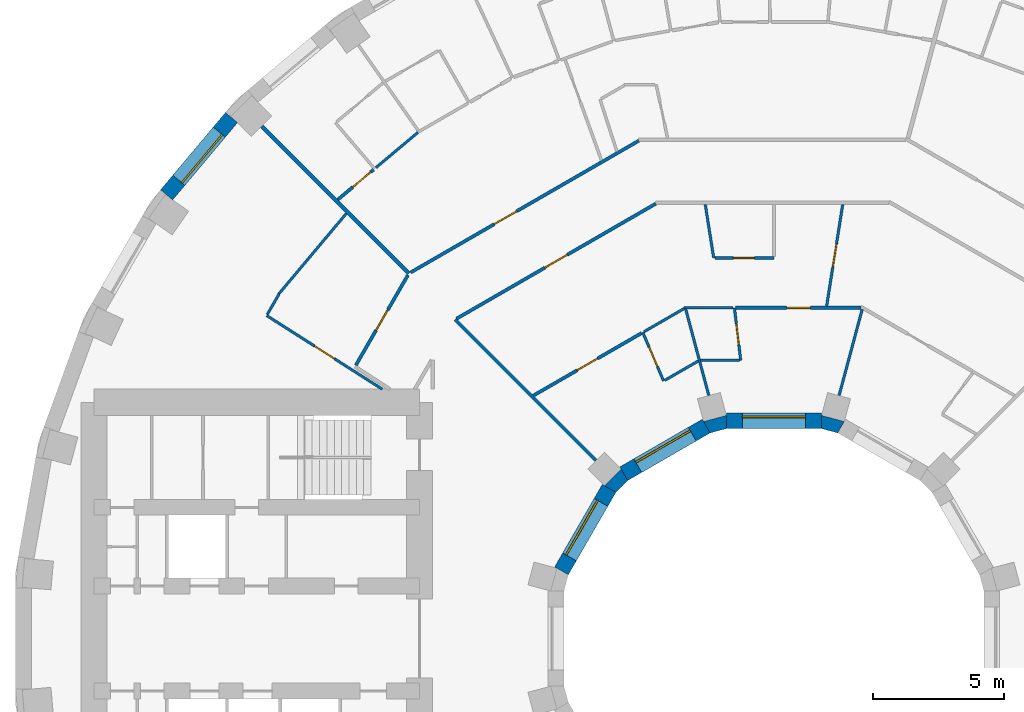
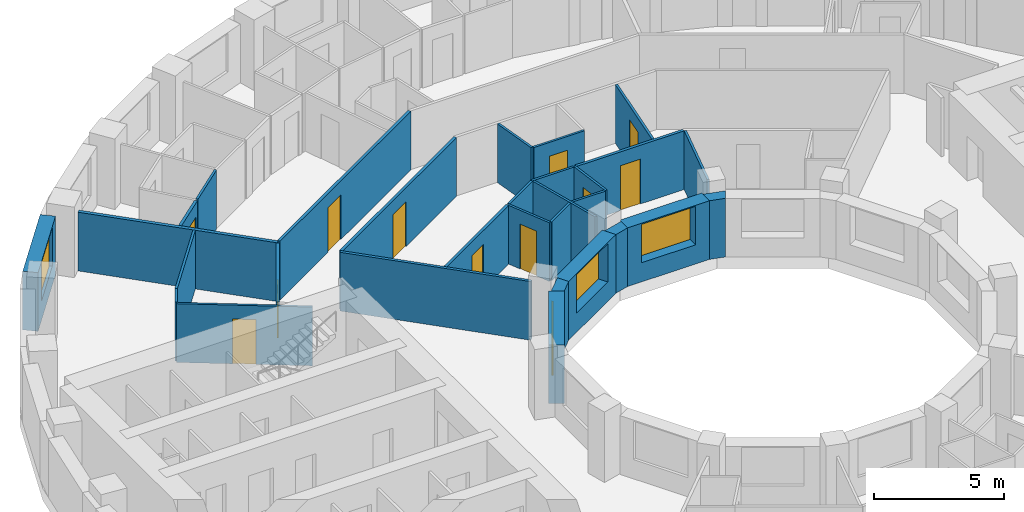
# One storey, part 11 of 17: 30 walls, 11 doors, 4 windows, 15 openings.
"""IFC4 building model written with IfcOpenShell, lengths in metres."""

from ifc_helpers import new_model, si_unit, direction, frame, frame_2d, origin, place, context, subcontext, project, spatial, polyline, rectangle, outline, extrude, material, layer, layer_set, type_object, element, fill, save


model = new_model("IFC4")

# Units and contexts
model_context = context("Model", 3, precision=1e-05, world=origin(), true_north=direction((0.0, 1.0)))
body_context = subcontext(model_context, "Body", "Model", "MODEL_VIEW")
ifc_project = project(units=[si_unit("LENGTHUNIT", "METRE"), si_unit("AREAUNIT", "SQUARE_METRE"), si_unit("VOLUMEUNIT", "CUBIC_METRE"), si_unit("PLANEANGLEUNIT", "RADIAN"), si_unit("MASSUNIT", "GRAM", prefix="KILO")], contexts=[model_context])

# Site, building, storey
site_placement = place(None, origin())
site = spatial("IfcSite", under=ifc_project, at=site_placement, CompositionType="ELEMENT")
building_placement = place(site_placement, origin())
building = spatial("IfcBuilding", under=site, at=building_placement, Name="Saqina Gate Tower", CompositionType="ELEMENT")
storey_placement = place(building_placement, frame((0.0, 0.0, 29.60009765625)))
storey = spatial("IfcBuildingStorey", under=building, at=storey_placement, Name="L07", CompositionType="ELEMENT", Elevation=29.60009765625)

# Wall, opening, window
ifc_material_1 = material(Name="Brick masonry (red)", Category="masonry")
ifc_layer_1 = layer(ifc_material_1, 0.60009765625)
ifc_layer_set_1 = layer_set([ifc_layer_1], Name="FW-BRICK-RED")
wall_type_1 = type_object("IfcWallType", Name="FW-BRICK-RED", PredefinedType="SOLIDWALL", material=ifc_layer_set_1)
wall_1_placement = place(storey_placement, frame((-20.664794921875, 19.85009765625, 0.0), z_axis=(0.0, 0.0, 1.0), x_axis=(-0.642809392687, -0.766026164483, 0.0)))
wall_1 = element("IfcWall", 1, at=wall_1_placement, inside=storey, type_object=wall_type_1, Name="Facade wall L07 facet 14", PredefinedType="SOLIDWALL", context=body_context, shape_type="SweptSolid", body=[
    extrude(rectangle(XDim=3.845947265625, YDim=0.60009765625, at=frame_2d((1.9228515625, 0.0))), origin(), (0.0, 0.0, 1.0), 2.75),
])
opening_1_placement = place(wall_1_placement, frame((0.722900390625, 0.0, 0.89990234375)))
opening_1 = element("IfcOpeningElement", 2, at=opening_1_placement, cuts=wall_1, Name="Opening G01-W12", PredefinedType="OPENING", context=body_context, shape_type="SweptSolid", body=[
    extrude(rectangle(XDim=2.39990234375, YDim=1.800048828125, at=frame_2d((1.199951171875, 0.89990234375))), frame((0.0, 0.31201171875, 0.0), z_axis=(0.0, -1.0, 0.0), x_axis=(1.0, 0.0, 0.0)), (0.0, 0.0, 1.0), 0.6240234375),
])
ifc_material_2 = material(Name="Aluminium glazing", Category="aluminium")
window_type_1 = type_object("IfcWindowType", Name="WN-A", PartitioningType="SINGLE_PANEL", PredefinedType="WINDOW", material=ifc_material_2)
window_1_placement = place(opening_1_placement, origin())
window_1 = element("IfcWindow", 3, at=window_1_placement, inside=storey, type_object=window_type_1, Name="Window L07 facet 14", OverallHeight=1.800048828125, OverallWidth=2.39990234375, PartitioningType="SINGLE_PANEL", PredefinedType="WINDOW", context=body_context, shape_type="SweptSolid", body=[
    extrude(rectangle(XDim=2.39990234375, YDim=1.800048828125, at=frame_2d((1.199951171875, 0.89990234375))), frame((0.0, 0.179931640625, 0.0), z_axis=(0.0, -1.0, 0.0), x_axis=(1.0, 0.0, 0.0)), (0.0, 0.0, 1.0), 0.06005859375),
])
fill(opening_1, window_1)

ifc_material_3 = material(Name="Glazed ceramic tile", Category="ceramic")
ifc_layer_2 = layer(ifc_material_3, 0.60009765625)
ifc_layer_set_2 = layer_set([ifc_layer_2], Name="IW-TILE")
wall_type_2 = type_object("IfcWallType", Name="IW-TILE", PredefinedType="SOLIDWALL", material=ifc_layer_set_2)
wall_2_placement = place(storey_placement, frame((1.8125, 8.300048828125, 0.0), z_axis=(0.0, 0.0, 1.0), x_axis=(-1.0, 0.0, 0.0)))
wall_2 = element("IfcWall", 4, at=wall_2_placement, inside=storey, type_object=wall_type_2, Name="Well wall L07 facet 3", PredefinedType="SOLIDWALL", context=body_context, shape_type="SweptSolid", body=[
    extrude(rectangle(XDim=3.625, YDim=0.60009765625, at=frame_2d((1.8125, 0.0))), origin(), (0.0, 0.0, 1.0), 2.75),
])
opening_2_placement = place(wall_2_placement, frame((0.612548828125, 0.0, 0.89990234375)))
opening_2 = element("IfcOpeningElement", 5, at=opening_2_placement, cuts=wall_2, Name="Opening G01-W25", PredefinedType="OPENING", context=body_context, shape_type="SweptSolid", body=[
    extrude(rectangle(XDim=2.39990234375, YDim=1.800048828125, at=frame_2d((1.199951171875, 0.89990234375))), frame((0.0, 0.31201171875, 0.0), z_axis=(0.0, -1.0, 0.0), x_axis=(1.0, 0.0, 0.0)), (0.0, 0.0, 1.0), 0.6240234375),
])
ifc_material_4 = material(Name="Aluminium glazing", Category="aluminium")
window_type_2 = type_object("IfcWindowType", Name="WN-W", PartitioningType="SINGLE_PANEL", PredefinedType="WINDOW", material=ifc_material_4)
window_2_placement = place(opening_2_placement, origin())
window_2 = element("IfcWindow", 6, at=window_2_placement, inside=storey, type_object=window_type_2, Name="Well window L07 facet 3", OverallHeight=1.800048828125, OverallWidth=2.39990234375, PartitioningType="SINGLE_PANEL", PredefinedType="WINDOW", context=body_context, shape_type="SweptSolid", body=[
    extrude(rectangle(XDim=2.39990234375, YDim=1.800048828125, at=frame_2d((1.199951171875, 0.89990234375))), frame((0.0, -0.119873046875, 0.0), z_axis=(0.0, -1.0, 0.0), x_axis=(1.0, 0.0, 0.0)), (0.0, 0.0, 1.0), 0.06005859375),
])
fill(opening_2, window_2)

wall_3_placement = place(storey_placement, frame((-2.580322265625, 8.09423828125, 0.0), z_axis=(0.0, 0.0, 1.0), x_axis=(-0.866029693906, -0.499992569217, 0.0)))
wall_3 = element("IfcWall", 7, at=wall_3_placement, inside=storey, type_object=wall_type_2, Name="Well wall L07 facet 4", PredefinedType="SOLIDWALL", context=body_context, shape_type="SweptSolid", body=[
    extrude(rectangle(XDim=3.625, YDim=0.60009765625, at=frame_2d((1.8125, 0.0))), origin(), (0.0, 0.0, 1.0), 2.75),
])
opening_3_placement = place(wall_3_placement, frame((0.612548828125, 0.0, 0.89990234375)))
opening_3 = element("IfcOpeningElement", 8, at=opening_3_placement, cuts=wall_3, Name="Opening G01-W26", PredefinedType="OPENING", context=body_context, shape_type="SweptSolid", body=[
    extrude(rectangle(XDim=2.39990234375, YDim=1.800048828125, at=frame_2d((1.199951171875, 0.89990234375))), frame((0.0, 0.31201171875, 0.0), z_axis=(0.0, -1.0, 0.0), x_axis=(1.0, 0.0, 0.0)), (0.0, 0.0, 1.0), 0.6240234375),
])
window_3_placement = place(opening_3_placement, origin())
window_3 = element("IfcWindow", 9, at=window_3_placement, inside=storey, type_object=window_type_2, Name="Well window L07 facet 4", OverallHeight=1.800048828125, OverallWidth=2.39990234375, PartitioningType="SINGLE_PANEL", PredefinedType="WINDOW", context=body_context, shape_type="SweptSolid", body=[
    extrude(rectangle(XDim=2.39990234375, YDim=1.800048828125, at=frame_2d((1.199951171875, 0.89990234375))), frame((0.0, -0.119873046875, 0.0), z_axis=(0.0, -1.0, 0.0), x_axis=(1.0, 0.0, 0.0)), (0.0, 0.0, 1.0), 0.06005859375),
])
fill(opening_3, window_3)

wall_4_placement = place(storey_placement, frame((-6.28173828125, 5.7197265625, 0.0), z_axis=(0.0, 0.0, 1.0), x_axis=(-0.499992569217, -0.866029693906, 0.0)))
wall_4 = element("IfcWall", 10, at=wall_4_placement, inside=storey, type_object=wall_type_2, Name="Well wall L07 facet 5", PredefinedType="SOLIDWALL", context=body_context, shape_type="SweptSolid", body=[
    extrude(rectangle(XDim=3.625, YDim=0.60009765625, at=frame_2d((1.8125, 0.0))), origin(), (0.0, 0.0, 1.0), 2.75),
])
opening_4_placement = place(wall_4_placement, frame((0.612548828125, 0.0, 0.89990234375)))
opening_4 = element("IfcOpeningElement", 11, at=opening_4_placement, cuts=wall_4, Name="Opening G01-W27", PredefinedType="OPENING", context=body_context, shape_type="SweptSolid", body=[
    extrude(rectangle(XDim=2.39990234375, YDim=1.800048828125, at=frame_2d((1.199951171875, 0.89990234375))), frame((0.0, 0.31201171875, 0.0), z_axis=(0.0, -1.0, 0.0), x_axis=(1.0, 0.0, 0.0)), (0.0, 0.0, 1.0), 0.6240234375),
])
window_4_placement = place(opening_4_placement, origin())
window_4 = element("IfcWindow", 12, at=window_4_placement, inside=storey, type_object=window_type_2, Name="Well window L07 facet 5", OverallHeight=1.800048828125, OverallWidth=2.39990234375, PartitioningType="SINGLE_PANEL", PredefinedType="WINDOW", context=body_context, shape_type="SweptSolid", body=[
    extrude(rectangle(XDim=2.39990234375, YDim=1.800048828125, at=frame_2d((1.199951171875, 0.89990234375))), frame((0.0, -0.119873046875, 0.0), z_axis=(0.0, -1.0, 0.0), x_axis=(1.0, 0.0, 0.0)), (0.0, 0.0, 1.0), 0.06005859375),
])
fill(opening_4, window_4)

# Wall, opening, door
ifc_material_5 = material(Name="Gypsum board on steel studs, 100 mm", Category="steel")
ifc_layer_3 = layer(ifc_material_5, 0.10009765625)
ifc_layer_set_3 = layer_set([ifc_layer_3], Name="PARTITION 100")
wall_type_3 = type_object("IfcWallType", Name="PARTITION 100", PredefinedType="PARTITIONING", material=ifc_layer_set_3)
wall_5_placement = place(storey_placement, frame((-1.506103515625, 12.60009765625, 0.0), z_axis=(0.0, 0.0, 1.0), x_axis=(0.11866247814, -0.992934648545, 0.0)))
wall_5 = element("IfcWall", 13, at=wall_5_placement, inside=storey, type_object=wall_type_3, Name="PARTITION PW3-05", PredefinedType="PARTITIONING", context=body_context, shape_type="SweptSolid", body=[
    extrude(rectangle(XDim=2.01416015625, YDim=0.10009765625, at=frame_2d((1.007080078125, 0.0))), origin(), (0.0, 0.0, 1.0), 2.75),
])
opening_5_placement = place(wall_5_placement, frame((0.607177734375, 0.0, 0.0)))
opening_5 = element("IfcOpeningElement", 14, at=opening_5_placement, cuts=wall_5, Name="Opening G01-D23", PredefinedType="OPENING", context=body_context, shape_type="SweptSolid", body=[
    extrude(rectangle(XDim=0.800048828125, YDim=2.10009765625, at=frame_2d((0.39990234375, 1.050048828125))), frame((0.0, 0.06201171875, 0.0), z_axis=(0.0, -1.0, 0.0), x_axis=(1.0, 0.0, 0.0)), (0.0, 0.0, 1.0), 0.1240234375),
])
ifc_material_6 = material(Name="Timber door leaf, 800 mm", Category="wood")
door_type_1 = type_object("IfcDoorType", Name="DOOR 800 TIMBER", OperationType="SINGLE_SWING_LEFT", PredefinedType="DOOR", material=ifc_material_6)
door_1_placement = place(opening_5_placement, origin())
door_1 = element("IfcDoor", 15, at=door_1_placement, inside=storey, type_object=door_type_1, Name="DOOR G01-D23", OperationType="SINGLE_SWING_LEFT", OverallHeight=2.10009765625, OverallWidth=0.800048828125, PredefinedType="DOOR", context=body_context, shape_type="SweptSolid", body=[
    extrude(rectangle(XDim=0.800048828125, YDim=2.10009765625, at=frame_2d((0.39990234375, 1.050048828125))), frame((0.0, 0.02490234375, 0.0), z_axis=(0.0, -1.0, 0.0), x_axis=(1.0, 0.0, 0.0)), (0.0, 0.0, 1.0), 0.050048828125),
])
fill(opening_5, door_1)

# Walls
wall_6_placement = place(storey_placement, frame((-2.6171875, 16.538330078125, 0.0), z_axis=(0.0, 0.0, 1.0), x_axis=(0.156163049852, -0.987731290312, 0.0)))
element("IfcWall", 16, at=wall_6_placement, inside=storey, type_object=wall_type_3, Name="PARTITION PW3-07", PredefinedType="PARTITIONING", context=body_context, shape_type="SweptSolid", body=[
    extrude(rectangle(XDim=2.063720703125, YDim=0.10009765625, at=frame_2d((1.03173828125, 0.0))), origin(), (0.0, 0.0, 1.0), 2.75),
])
wall_7_placement = place(storey_placement, frame((-3.362060546875, 12.552001953125, 0.0), z_axis=(0.0, 0.0, 1.0), x_axis=(0.258323584226, -0.966058448456, 0.0)))
element("IfcWall", 17, at=wall_7_placement, inside=storey, type_object=wall_type_3, Name="PARTITION PW3-13", PredefinedType="PARTITIONING", context=body_context, shape_type="SweptSolid", body=[
    extrude(rectangle(XDim=3.40234375, YDim=0.10009765625, at=frame_2d((1.701171875, 0.0))), origin(), (0.0, 0.0, 1.0), 2.75),
])

# Wall, opening, door
wall_8_placement = place(storey_placement, frame((-4.99609375, 11.6650390625, 0.0), z_axis=(0.0, 0.0, 1.0), x_axis=(0.39369991752, -0.919239019485, 0.0)))
wall_8 = element("IfcWall", 18, at=wall_8_placement, inside=storey, type_object=wall_type_3, Name="PARTITION PW3-19", PredefinedType="PARTITIONING", context=body_context, shape_type="SweptSolid", body=[
    extrude(rectangle(XDim=2.0146484375, YDim=0.10009765625, at=frame_2d((1.00732421875, 0.0))), origin(), (0.0, 0.0, 1.0), 2.75),
])
opening_6_placement = place(wall_8_placement, frame((0.607421875, 0.0, 0.0)))
opening_6 = element("IfcOpeningElement", 19, at=opening_6_placement, cuts=wall_8, Name="Opening G01-D30", PredefinedType="OPENING", context=body_context, shape_type="SweptSolid", body=[
    extrude(rectangle(XDim=0.800048828125, YDim=2.10009765625, at=frame_2d((0.39990234375, 1.050048828125))), frame((0.0, 0.06201171875, 0.0), z_axis=(0.0, -1.0, 0.0), x_axis=(1.0, 0.0, 0.0)), (0.0, 0.0, 1.0), 0.1240234375),
])
door_2_placement = place(opening_6_placement, frame((0.800048828125, 0.0, 0.0), z_axis=(0.0, 0.0, 1.0), x_axis=(-1.0, 0.0, 0.0)))
door_2 = element("IfcDoor", 20, at=door_2_placement, inside=storey, type_object=door_type_1, Name="DOOR G01-D30", OperationType="SINGLE_SWING_RIGHT", OverallHeight=2.10009765625, OverallWidth=0.800048828125, PredefinedType="DOOR", context=body_context, shape_type="SweptSolid", body=[
    extrude(rectangle(XDim=0.800048828125, YDim=2.10009765625, at=frame_2d((0.39990234375, 1.050048828125))), frame((0.0, 0.02490234375, 0.0), z_axis=(0.0, -1.0, 0.0), x_axis=(1.0, 0.0, 0.0)), (0.0, 0.0, 1.0), 0.050048828125),
])
fill(opening_6, door_2)

wall_9_placement = place(storey_placement, frame((-19.324951171875, 12.306884765625, 0.0), z_axis=(0.0, 0.0, 1.0), x_axis=(0.843449781198, -0.537208029163, 0.0)))
wall_9 = element("IfcWall", 21, at=wall_9_placement, inside=storey, type_object=wall_type_3, Name="PARTITION PW3-36", PredefinedType="PARTITIONING", context=body_context, shape_type="SweptSolid", body=[
    extrude(rectangle(XDim=5.224853515625, YDim=0.10009765625, at=frame_2d((2.6123046875, 0.0))), origin(), (0.0, 0.0, 1.0), 2.75),
])
opening_7_placement = place(wall_9_placement, frame((2.16259765625, 0.0, 0.0)))
opening_7 = element("IfcOpeningElement", 22, at=opening_7_placement, cuts=wall_9, Name="Opening G01-D39", PredefinedType="OPENING", context=body_context, shape_type="SweptSolid", body=[
    extrude(rectangle(XDim=0.89990234375, YDim=2.10009765625, at=frame_2d((0.449951171875, 1.050048828125))), frame((0.0, 0.06201171875, 0.0), z_axis=(0.0, -1.0, 0.0), x_axis=(1.0, 0.0, 0.0)), (0.0, 0.0, 1.0), 0.1240234375),
])
ifc_material_7 = material(Name="Timber door leaf, 900 mm", Category="wood")
door_type_2 = type_object("IfcDoorType", Name="DOOR 900 TIMBER", OperationType="SINGLE_SWING_LEFT", PredefinedType="DOOR", material=ifc_material_7)
door_3_placement = place(opening_7_placement, frame((0.89990234375, 0.0, 0.0), z_axis=(0.0, 0.0, 1.0), x_axis=(-1.0, 0.0, 0.0)))
door_3 = element("IfcDoor", 23, at=door_3_placement, inside=storey, type_object=door_type_2, Name="DOOR G01-D39", OperationType="SINGLE_SWING_RIGHT", OverallHeight=2.10009765625, OverallWidth=0.89990234375, PredefinedType="DOOR", context=body_context, shape_type="SweptSolid", body=[
    extrude(rectangle(XDim=0.89990234375, YDim=2.10009765625, at=frame_2d((0.449951171875, 1.050048828125))), frame((0.0, 0.02490234375, 0.0), z_axis=(0.0, -1.0, 0.0), x_axis=(1.0, 0.0, 0.0)), (0.0, 0.0, 1.0), 0.050048828125),
])
fill(opening_7, door_3)

# Walls
wall_10_placement = place(storey_placement, frame((-2.7900390625, 10.60009765625, 0.0), z_axis=(0.0, 0.0, 1.0), x_axis=(1.0, 0.0, 0.0)))
element("IfcWall", 24, at=wall_10_placement, inside=storey, type_object=wall_type_3, Name="PARTITION PW3-61", PredefinedType="PARTITIONING", context=body_context, shape_type="SweptSolid", body=[
    extrude(rectangle(XDim=1.47314453125, YDim=0.10009765625, at=frame_2d((0.736572265625, 0.0))), origin(), (0.0, 0.0, 1.0), 2.75),
])
wall_11_placement = place(storey_placement, frame((-3.433837890625, 12.60009765625, 0.0), z_axis=(0.0, 0.0, 1.0), x_axis=(1.0, 0.0, 0.0)))
element("IfcWall", 25, at=wall_11_placement, inside=storey, type_object=wall_type_3, Name="PARTITION PW3-62", PredefinedType="PARTITIONING", context=body_context, shape_type="SweptSolid", body=[
    extrude(rectangle(XDim=1.8779296875, YDim=0.10009765625, at=frame_2d((0.93896484375, 0.0))), origin(), (0.0, 0.0, 1.0), 2.75),
])

# Wall, opening, door
wall_12_placement = place(storey_placement, frame((-2.2451171875, 14.5, 0.0), z_axis=(0.0, 0.0, 1.0), x_axis=(1.0, 0.0, 0.0)))
wall_12 = element("IfcWall", 26, at=wall_12_placement, inside=storey, type_object=wall_type_3, Name="PARTITION PW3-63", PredefinedType="PARTITIONING", context=body_context, shape_type="SweptSolid", body=[
    extrude(rectangle(XDim=2.2451171875, YDim=0.10009765625, at=frame_2d((1.12255859375, 0.0))), origin(), (0.0, 0.0, 1.0), 2.75),
])
opening_8_placement = place(wall_12_placement, frame((0.697509765625, 0.0, 0.0)))
opening_8 = element("IfcOpeningElement", 27, at=opening_8_placement, cuts=wall_12, Name="Opening G01-D22", PredefinedType="OPENING", context=body_context, shape_type="SweptSolid", body=[
    extrude(rectangle(XDim=0.800048828125, YDim=2.10009765625, at=frame_2d((0.39990234375, 1.050048828125))), frame((0.0, 0.06201171875, 0.0), z_axis=(0.0, -1.0, 0.0), x_axis=(1.0, 0.0, 0.0)), (0.0, 0.0, 1.0), 0.1240234375),
])
door_4_placement = place(opening_8_placement, frame((0.800048828125, 0.0, 0.0), z_axis=(0.0, 0.0, 1.0), x_axis=(-1.0, 0.0, 0.0)))
door_4 = element("IfcDoor", 28, at=door_4_placement, inside=storey, type_object=door_type_1, Name="DOOR G01-D22", OperationType="SINGLE_SWING_RIGHT", OverallHeight=2.10009765625, OverallWidth=0.800048828125, PredefinedType="DOOR", context=body_context, shape_type="SweptSolid", body=[
    extrude(rectangle(XDim=0.800048828125, YDim=2.10009765625, at=frame_2d((0.39990234375, 1.050048828125))), frame((0.0, 0.02490234375, 0.0), z_axis=(0.0, -1.0, 0.0), x_axis=(1.0, 0.0, 0.0)), (0.0, 0.0, 1.0), 0.050048828125),
])
fill(opening_8, door_4)

# Walls
wall_13_placement = place(storey_placement, frame((-4.15966796875, 9.837890625, 0.0), z_axis=(0.0, 0.0, 1.0), x_axis=(0.865981447571, 0.500076126667, 0.0)))
element("IfcWall", 29, at=wall_13_placement, inside=storey, type_object=wall_type_3, Name="PARTITION PW3-78", PredefinedType="PARTITIONING", context=body_context, shape_type="SweptSolid", body=[
    extrude(rectangle(XDim=1.473876953125, YDim=0.10009765625, at=frame_2d((0.73681640625, 0.0))), origin(), (0.0, 0.0, 1.0), 2.75),
])
wall_14_placement = place(storey_placement, frame((-4.95263671875, 11.68994140625, 0.0), z_axis=(0.0, 0.0, 1.0), x_axis=(0.86610522661, 0.499861717316, 0.0)))
element("IfcWall", 30, at=wall_14_placement, inside=storey, type_object=wall_type_3, Name="PARTITION PW3-79", PredefinedType="PARTITIONING", context=body_context, shape_type="SweptSolid", body=[
    extrude(rectangle(XDim=1.7705078125, YDim=0.10009765625, at=frame_2d((0.88525390625, 0.0))), origin(), (0.0, 0.0, 1.0), 2.75),
])
wall_15_placement = place(storey_placement, frame((-15.166015625, 17.938232421875, 0.0), z_axis=(0.0, 0.0, 1.0), x_axis=(0.766084035901, 0.642740421895, 0.0)))
element("IfcWall", 31, at=wall_15_placement, inside=storey, type_object=wall_type_3, Name="PARTITION PW3-87", PredefinedType="PARTITIONING", context=body_context, shape_type="SweptSolid", body=[
    extrude(rectangle(XDim=2.09228515625, YDim=0.10009765625, at=frame_2d((1.046142578125, 0.0))), origin(), (0.0, 0.0, 1.0), 2.75),
])
wall_16_placement = place(storey_placement, frame((-18.854736328125, 13.14013671875, 0.0), z_axis=(0.0, 0.0, 1.0), x_axis=(0.642918792106, 0.765934348856, 0.0)))
element("IfcWall", 32, at=wall_16_placement, inside=storey, type_object=wall_type_3, Name="PARTITION PW3-93", PredefinedType="PARTITIONING", context=body_context, shape_type="SweptSolid", body=[
    extrude(rectangle(XDim=3.981201171875, YDim=0.10009765625, at=frame_2d((1.99072265625, 0.0))), origin(), (0.0, 0.0, 1.0), 2.75),
])
wall_17_placement = place(storey_placement, frame((-19.300048828125, 12.350341796875, 0.0), z_axis=(0.0, 0.0, 1.0), x_axis=(0.499730223204, 0.866181103474, 0.0)))
element("IfcWall", 33, at=wall_17_placement, inside=storey, type_object=wall_type_3, Name="PARTITION PW3-102", PredefinedType="PARTITIONING", context=body_context, shape_type="SweptSolid", body=[
    extrude(rectangle(XDim=0.90673828125, YDim=0.10009765625, at=frame_2d((0.453369140625, 0.0))), origin(), (0.0, 0.0, 1.0), 2.75),
])
wall_18_placement = place(storey_placement, frame((2.482666015625, 9.265380859375, 0.0), z_axis=(0.0, 0.0, 1.0), x_axis=(0.258787687785, 0.965934227911, 0.0)))
element("IfcWall", 34, at=wall_18_placement, inside=storey, type_object=wall_type_3, Name="PARTITION PW3-110", PredefinedType="PARTITIONING", context=body_context, shape_type="SweptSolid", body=[
    extrude(rectangle(XDim=3.3896484375, YDim=0.10009765625, at=frame_2d((1.69482421875, 0.0))), origin(), (0.0, 0.0, 1.0), 2.75),
])

# Wall, opening, door
wall_19_placement = place(storey_placement, frame((2.005859375, 12.66162109375, 0.0), z_axis=(0.0, 0.0, 1.0), x_axis=(0.15625323836, 0.987717027039, 0.0)))
wall_19 = element("IfcWall", 35, at=wall_19_placement, inside=storey, type_object=wall_type_3, Name="PARTITION PW3-115", PredefinedType="PARTITIONING", context=body_context, shape_type="SweptSolid", body=[
    extrude(rectangle(XDim=3.9248046875, YDim=0.10009765625, at=frame_2d((1.96240234375, 0.0))), origin(), (0.0, 0.0, 1.0), 2.75),
])
opening_9_placement = place(wall_19_placement, frame((1.512451171875, 0.0, 0.0)))
opening_9 = element("IfcOpeningElement", 36, at=opening_9_placement, cuts=wall_19, Name="Opening G01-D17", PredefinedType="OPENING", context=body_context, shape_type="SweptSolid", body=[
    extrude(rectangle(XDim=0.89990234375, YDim=2.10009765625, at=frame_2d((0.449951171875, 1.050048828125))), frame((0.0, 0.06201171875, 0.0), z_axis=(0.0, -1.0, 0.0), x_axis=(1.0, 0.0, 0.0)), (0.0, 0.0, 1.0), 0.1240234375),
])
door_5_placement = place(opening_9_placement, origin())
door_5 = element("IfcDoor", 37, at=door_5_placement, inside=storey, type_object=door_type_2, Name="DOOR G01-D17", OperationType="SINGLE_SWING_RIGHT", OverallHeight=2.10009765625, OverallWidth=0.89990234375, PredefinedType="DOOR", context=body_context, shape_type="SweptSolid", body=[
    extrude(rectangle(XDim=0.89990234375, YDim=2.10009765625, at=frame_2d((0.449951171875, 1.050048828125))), frame((0.0, 0.02490234375, 0.0), z_axis=(0.0, -1.0, 0.0), x_axis=(1.0, 0.0, 0.0)), (0.0, 0.0, 1.0), 0.050048828125),
])
fill(opening_9, door_5)

# Wall
ifc_material_8 = material(Name="Gypsum board on steel studs, 125 mm, fire rated", Category="steel")
ifc_layer_4 = layer(ifc_material_8, 0.125)
ifc_layer_set_4 = layer_set([ifc_layer_4], Name="PARTITION EI 30 125")
wall_type_4 = type_object("IfcWallType", Name="PARTITION EI 30 125", PredefinedType="PARTITIONING", material=ifc_layer_set_4)
wall_20_placement = place(storey_placement, frame((-12.152099609375, 12.152099609375, 0.0), z_axis=(0.0, 0.0, 1.0), x_axis=(0.707106781187, -0.707106781187, 0.0)))
element("IfcWall", 38, at=wall_20_placement, inside=storey, type_object=wall_type_4, Name="PARTITION PW1-08", PredefinedType="PARTITIONING", context=body_context, shape_type="SweptSolid", body=[
    extrude(rectangle(XDim=7.593505859375, YDim=0.125, at=frame_2d((3.796875, 0.0))), origin(), (0.0, 0.0, 1.0), 2.75),
])

# Wall, opening, door
wall_21_placement = place(storey_placement, frame((-1.4560546875, 12.60009765625, 0.0), z_axis=(0.0, 0.0, 1.0), x_axis=(1.0, 0.0, 0.0)))
wall_21 = element("IfcWall", 39, at=wall_21_placement, inside=storey, type_object=wall_type_4, Name="PARTITION PW1-29", PredefinedType="PARTITIONING", context=body_context, shape_type="SweptSolid", body=[
    extrude(rectangle(XDim=4.76953125, YDim=0.125, at=frame_2d((2.384765625, 0.0))), origin(), (0.0, 0.0, 1.0), 2.75),
])
opening_10_placement = place(wall_21_placement, frame((1.94091796875, 0.0, 0.0)))
opening_10 = element("IfcOpeningElement", 40, at=opening_10_placement, cuts=wall_21, Name="Opening G01-D19", PredefinedType="OPENING", context=body_context, shape_type="SweptSolid", body=[
    extrude(rectangle(XDim=0.89990234375, YDim=2.10009765625, at=frame_2d((0.449951171875, 1.050048828125))), frame((0.0, 0.074462890625, 0.0), z_axis=(0.0, -1.0, 0.0), x_axis=(1.0, 0.0, 0.0)), (0.0, 0.0, 1.0), 0.14892578125),
])
ifc_material_9 = material(Name="Fire door leaf EI 30, 900 mm")
door_type_3 = type_object("IfcDoorType", Name="DOOR 900 EI 30", OperationType="SINGLE_SWING_LEFT", PredefinedType="DOOR", material=ifc_material_9)
door_6_placement = place(opening_10_placement, origin())
door_6 = element("IfcDoor", 41, at=door_6_placement, inside=storey, type_object=door_type_3, Name="DOOR G01-D19", OperationType="SINGLE_SWING_RIGHT", OverallHeight=2.10009765625, OverallWidth=0.89990234375, PredefinedType="DOOR", context=body_context, shape_type="SweptSolid", body=[
    extrude(rectangle(XDim=0.89990234375, YDim=2.10009765625, at=frame_2d((0.449951171875, 1.050048828125))), frame((0.0, 0.02490234375, 0.0), z_axis=(0.0, -1.0, 0.0), x_axis=(1.0, 0.0, 0.0)), (0.0, 0.0, 1.0), 0.050048828125),
])
fill(opening_10, door_6)

wall_22_placement = place(storey_placement, frame((-9.169921875, 9.25537109375, 0.0), z_axis=(0.0, 0.0, 1.0), x_axis=(0.866051761422, 0.499954344453, 0.0)))
wall_22 = element("IfcWall", 42, at=wall_22_placement, inside=storey, type_object=wall_type_4, Name="PARTITION PW1-40", PredefinedType="PARTITIONING", context=body_context, shape_type="SweptSolid", body=[
    extrude(rectangle(XDim=4.76953125, YDim=0.125, at=frame_2d((2.384765625, 0.0))), origin(), (0.0, 0.0, 1.0), 2.75),
])
opening_11_placement = place(wall_22_placement, frame((1.928466796875, 0.0, 0.0)))
opening_11 = element("IfcOpeningElement", 43, at=opening_11_placement, cuts=wall_22, Name="Opening G01-D35", PredefinedType="OPENING", context=body_context, shape_type="SweptSolid", body=[
    extrude(rectangle(XDim=0.89990234375, YDim=2.10009765625, at=frame_2d((0.449951171875, 1.050048828125))), frame((0.0, 0.074462890625, 0.0), z_axis=(0.0, -1.0, 0.0), x_axis=(1.0, 0.0, 0.0)), (0.0, 0.0, 1.0), 0.14892578125),
])
door_7_placement = place(opening_11_placement, origin())
door_7 = element("IfcDoor", 44, at=door_7_placement, inside=storey, type_object=door_type_3, Name="DOOR G01-D35", OperationType="SINGLE_SWING_LEFT", OverallHeight=2.10009765625, OverallWidth=0.89990234375, PredefinedType="DOOR", context=body_context, shape_type="SweptSolid", body=[
    extrude(rectangle(XDim=0.89990234375, YDim=2.10009765625, at=frame_2d((0.449951171875, 1.050048828125))), frame((0.0, 0.02490234375, 0.0), z_axis=(0.0, -1.0, 0.0), x_axis=(1.0, 0.0, 0.0)), (0.0, 0.0, 1.0), 0.050048828125),
])
fill(opening_11, door_7)

wall_23_placement = place(storey_placement, frame((-12.097900390625, 12.183349609375, 0.0), z_axis=(0.0, 0.0, 1.0), x_axis=(0.8660196372, 0.500009987883, 0.0)))
wall_23 = element("IfcWall", 45, at=wall_23_placement, inside=storey, type_object=wall_type_4, Name="PARTITION PW1-41", PredefinedType="PARTITIONING", context=body_context, shape_type="SweptSolid", body=[
    extrude(rectangle(XDim=8.770751953125, YDim=0.125, at=frame_2d((4.38525390625, 0.0))), origin(), (0.0, 0.0, 1.0), 2.75),
])
opening_12_placement = place(wall_23_placement, frame((3.885498046875, 0.0, 0.0)))
opening_12 = element("IfcOpeningElement", 46, at=opening_12_placement, cuts=wall_23, Name="Opening G01-D32", PredefinedType="OPENING", context=body_context, shape_type="SweptSolid", body=[
    extrude(rectangle(XDim=1.0, YDim=2.10009765625, at=frame_2d((0.5, 1.050048828125))), frame((0.0, 0.074462890625, 0.0), z_axis=(0.0, -1.0, 0.0), x_axis=(1.0, 0.0, 0.0)), (0.0, 0.0, 1.0), 0.14892578125),
])
ifc_material_10 = material(Name="Fire door leaf EI 30, 1000 mm")
door_type_4 = type_object("IfcDoorType", Name="DOOR 1000 EI 30", OperationType="SINGLE_SWING_LEFT", PredefinedType="DOOR", material=ifc_material_10)
door_8_placement = place(opening_12_placement, frame((1.0, 0.0, 0.0), z_axis=(0.0, 0.0, 1.0), x_axis=(-1.0, 0.0, 0.0)))
door_8 = element("IfcDoor", 47, at=door_8_placement, inside=storey, type_object=door_type_4, Name="DOOR G01-D32", OperationType="SINGLE_SWING_RIGHT", OverallHeight=2.10009765625, OverallWidth=1.0, PredefinedType="DOOR", context=body_context, shape_type="SweptSolid", body=[
    extrude(rectangle(XDim=1.0, YDim=2.10009765625, at=frame_2d((0.5, 1.050048828125))), frame((0.0, 0.02490234375, 0.0), z_axis=(0.0, -1.0, 0.0), x_axis=(1.0, 0.0, 0.0)), (0.0, 0.0, 1.0), 0.050048828125),
])
fill(opening_12, door_8)

wall_24_placement = place(storey_placement, frame((-13.843994140625, 13.946533203125, 0.0), z_axis=(0.0, 0.0, 1.0), x_axis=(0.866031375826, 0.499989655977, 0.0)))
wall_24 = element("IfcWall", 48, at=wall_24_placement, inside=storey, type_object=wall_type_4, Name="PARTITION PW1-42", PredefinedType="PARTITIONING", context=body_context, shape_type="SweptSolid", body=[
    extrude(rectangle(XDim=10.044677734375, YDim=0.125, at=frame_2d((5.0224609375, 0.0))), origin(), (0.0, 0.0, 1.0), 2.75),
])
opening_13_placement = place(wall_24_placement, frame((3.67431640625, 0.0, 0.0)))
opening_13 = element("IfcOpeningElement", 49, at=opening_13_placement, cuts=wall_24, Name="Opening G01-D34", PredefinedType="OPENING", context=body_context, shape_type="SweptSolid", body=[
    extrude(rectangle(XDim=1.0, YDim=2.10009765625, at=frame_2d((0.5, 1.050048828125))), frame((0.0, 0.074462890625, 0.0), z_axis=(0.0, -1.0, 0.0), x_axis=(1.0, 0.0, 0.0)), (0.0, 0.0, 1.0), 0.14892578125),
])
door_9_placement = place(opening_13_placement, origin())
door_9 = element("IfcDoor", 50, at=door_9_placement, inside=storey, type_object=door_type_4, Name="DOOR G01-D34", OperationType="SINGLE_SWING_LEFT", OverallHeight=2.10009765625, OverallWidth=1.0, PredefinedType="DOOR", context=body_context, shape_type="SweptSolid", body=[
    extrude(rectangle(XDim=1.0, YDim=2.10009765625, at=frame_2d((0.5, 1.050048828125))), frame((0.0, 0.02490234375, 0.0), z_axis=(0.0, -1.0, 0.0), x_axis=(1.0, 0.0, 0.0)), (0.0, 0.0, 1.0), 0.050048828125),
])
fill(opening_13, door_9)

wall_25_placement = place(storey_placement, frame((-16.6162109375, 16.721923828125, 0.0), z_axis=(0.0, 0.0, 1.0), x_axis=(0.766814187789, 0.641869146638, 0.0)))
wall_25 = element("IfcWall", 51, at=wall_25_placement, inside=storey, type_object=wall_type_4, Name="PARTITION PW1-46", PredefinedType="PARTITIONING", context=body_context, shape_type="SweptSolid", body=[
    extrude(rectangle(XDim=1.780029296875, YDim=0.125, at=frame_2d((0.89013671875, 0.0))), origin(), (0.0, 0.0, 1.0), 2.75),
])
opening_14_placement = place(wall_25_placement, frame((0.740234375, 0.0, 0.0)))
opening_14 = element("IfcOpeningElement", 52, at=opening_14_placement, cuts=wall_25, Name="Opening G01-D37", PredefinedType="OPENING", context=body_context, shape_type="SweptSolid", body=[
    extrude(rectangle(XDim=0.89990234375, YDim=2.10009765625, at=frame_2d((0.449951171875, 1.050048828125))), frame((0.0, 0.074462890625, 0.0), z_axis=(0.0, -1.0, 0.0), x_axis=(1.0, 0.0, 0.0)), (0.0, 0.0, 1.0), 0.14892578125),
])
door_10_placement = place(opening_14_placement, frame((0.89990234375, 0.0, 0.0), z_axis=(0.0, 0.0, 1.0), x_axis=(-1.0, 0.0, 0.0)))
door_10 = element("IfcDoor", 53, at=door_10_placement, inside=storey, type_object=door_type_3, Name="DOOR G01-D37", OperationType="SINGLE_SWING_LEFT", OverallHeight=2.10009765625, OverallWidth=0.89990234375, PredefinedType="DOOR", context=body_context, shape_type="SweptSolid", body=[
    extrude(rectangle(XDim=0.89990234375, YDim=2.10009765625, at=frame_2d((0.449951171875, 1.050048828125))), frame((0.0, 0.02490234375, 0.0), z_axis=(0.0, -1.0, 0.0), x_axis=(1.0, 0.0, 0.0)), (0.0, 0.0, 1.0), 0.050048828125),
])
fill(opening_14, door_10)

wall_26_placement = place(storey_placement, frame((-15.92578125, 10.416015625, 0.0), z_axis=(0.0, 0.0, 1.0), x_axis=(0.500019653581, 0.866014056487, 0.0)))
wall_26 = element("IfcWall", 54, at=wall_26_placement, inside=storey, type_object=wall_type_4, Name="PARTITION PW1-52", PredefinedType="PARTITIONING", context=body_context, shape_type="SweptSolid", body=[
    extrude(rectangle(XDim=3.958251953125, YDim=0.125, at=frame_2d((1.97900390625, 0.0))), origin(), (0.0, 0.0, 1.0), 2.75),
])
opening_15_placement = place(wall_26_placement, frame((1.535400390625, 0.0, 0.0)))
opening_15 = element("IfcOpeningElement", 55, at=opening_15_placement, cuts=wall_26, Name="Opening G01-D38", PredefinedType="OPENING", context=body_context, shape_type="SweptSolid", body=[
    extrude(rectangle(XDim=0.89990234375, YDim=2.10009765625, at=frame_2d((0.449951171875, 1.050048828125))), frame((0.0, 0.074462890625, 0.0), z_axis=(0.0, -1.0, 0.0), x_axis=(1.0, 0.0, 0.0)), (0.0, 0.0, 1.0), 0.14892578125),
])
door_11_placement = place(opening_15_placement, origin())
door_11 = element("IfcDoor", 56, at=door_11_placement, inside=storey, type_object=door_type_3, Name="DOOR G01-D38", OperationType="SINGLE_SWING_RIGHT", OverallHeight=2.10009765625, OverallWidth=0.89990234375, PredefinedType="DOOR", context=body_context, shape_type="SweptSolid", body=[
    extrude(rectangle(XDim=0.89990234375, YDim=2.10009765625, at=frame_2d((0.449951171875, 1.050048828125))), frame((0.0, 0.02490234375, 0.0), z_axis=(0.0, -1.0, 0.0), x_axis=(1.0, 0.0, 0.0)), (0.0, 0.0, 1.0), 0.050048828125),
])
fill(opening_15, door_11)

# Walls
ifc_material_11 = material(Name="Gypsum board on steel studs, 150 mm, fire rated", Category="steel")
ifc_layer_5 = layer(ifc_material_11, 0.14990234375)
ifc_layer_set_5 = layer_set([ifc_layer_5], Name="PARTITION EI 60 150")
wall_type_5 = type_object("IfcWallType", Name="PARTITION EI 60 150", PredefinedType="PARTITIONING", material=ifc_layer_set_5)
wall_27_placement = place(storey_placement, frame((-19.509033203125, 19.509033203125, 0.0), z_axis=(0.0, 0.0, 1.0), x_axis=(0.707106781187, -0.707106781187, 0.0)))
element("IfcWall", 57, at=wall_27_placement, inside=storey, type_object=wall_type_5, Name="PARTITION PW2-02", PredefinedType="PARTITIONING", context=body_context, shape_type="SweptSolid", body=[
    extrude(rectangle(XDim=7.919677734375, YDim=0.14990234375, at=frame_2d((3.9599609375, 0.0))), origin(), (0.0, 0.0, 1.0), 2.75),
])
ifc_material_12 = material(Name="Glazed ceramic tile", Category="ceramic")
wall_type_6 = type_object("IfcWallType", Name="TILE PIER COPING", PredefinedType="SOLIDWALL", material=ifc_material_12)
wall_28_placement = place(storey_placement, origin())
element("IfcWall", 58, at=wall_28_placement, inside=storey, type_object=wall_type_6, Name="Well pier cap L07 column 3", PredefinedType="SOLIDWALL", context=body_context, shape_type="SweptSolid", body=[
    extrude(outline(polyline([(1.8125, 8.502685546875), (1.8125, 8.0), (2.430419921875, 7.83447265625), (2.681884765625, 8.27001953125), (1.8125, 8.502685546875)])), origin(), (0.0, 0.0, 1.0), 2.75),
])
wall_29_placement = place(storey_placement, origin())
element("IfcWall", 59, at=wall_29_placement, inside=storey, type_object=wall_type_6, Name="Well pier cap L07 column 4", PredefinedType="SOLIDWALL", context=body_context, shape_type="SweptSolid", body=[
    extrude(outline(polyline([(-2.681884765625, 8.27001953125), (-2.430419921875, 7.83447265625), (-1.8125, 8.0), (-1.8125, 8.502685546875), (-2.681884765625, 8.27001953125)])), origin(), (0.0, 0.0, 1.0), 2.75),
])
wall_30_placement = place(storey_placement, origin())
element("IfcWall", 60, at=wall_30_placement, inside=storey, type_object=wall_type_6, Name="Well pier cap L07 column 5", PredefinedType="SOLIDWALL", context=body_context, shape_type="SweptSolid", body=[
    extrude(outline(polyline([(-6.45751953125, 5.821044921875), (-6.02197265625, 5.569580078125), (-5.569580078125, 6.02197265625), (-5.821044921875, 6.45751953125), (-6.45751953125, 5.821044921875)])), origin(), (0.0, 0.0, 1.0), 2.75),
])

save(model, "model.ifc")
